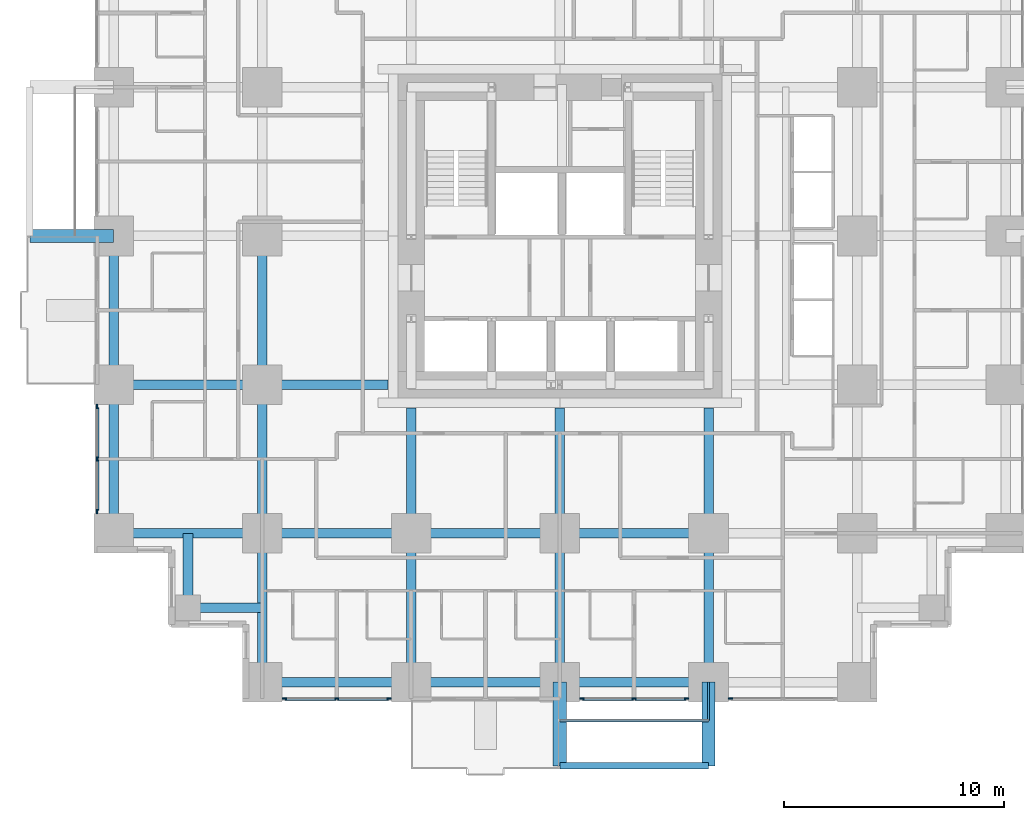
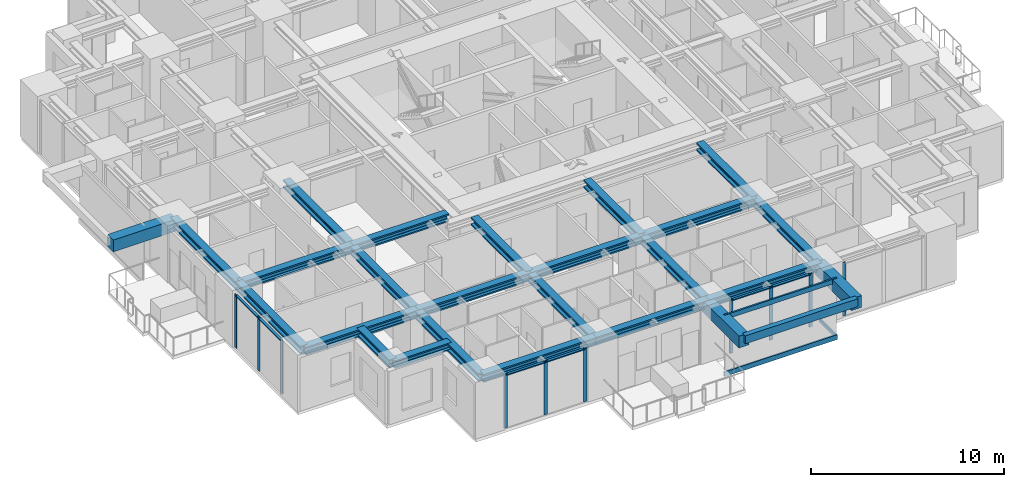
# One storey, part 2 of 14: 26 beams, 19 members, 4 elements without a shape of their own.
"""IFC4 building model written with IfcOpenShell, lengths in metres."""

from ifc_helpers import new_model, si_unit, direction, frame, origin, origin_2d, place, context, subcontext, project, spatial, rectangle, hollow_rectangle, i_section, extrude, material, material_profile, profile_set, type_object, element, aggregate, save


model = new_model("IFC4")

# Units and contexts
model_context = context("Model", 3, precision=1e-05, world=origin(), true_north=direction((0.0, 1.0)))
body_context = subcontext(model_context, "Body", "Model", "MODEL_VIEW")
ifc_project = project(units=[si_unit("LENGTHUNIT", "METRE"), si_unit("AREAUNIT", "SQUARE_METRE"), si_unit("VOLUMEUNIT", "CUBIC_METRE"), si_unit("PLANEANGLEUNIT", "RADIAN"), si_unit("MASSUNIT", "GRAM", prefix="KILO")], contexts=[model_context])

# Site, building, storey
site_placement = place(None, origin())
site = spatial("IfcSite", under=ifc_project, at=site_placement, CompositionType="ELEMENT")
building_placement = place(site_placement, origin())
building = spatial("IfcBuilding", under=site, at=building_placement, Name="Nyansa Garden Tower", CompositionType="ELEMENT")
storey_placement = place(building_placement, frame((0.0, 0.0, 68.39990234375)))
storey = spatial("IfcBuildingStorey", under=building, at=storey_placement, Name="L18", CompositionType="ELEMENT", Elevation=68.39990234375)

# Beams
ifc_material_1 = material(Name="Concrete C70/85", Category="concrete")
ifc_material_profile_1 = material_profile(ifc_material_1, rectangle(XDim=0.60009765625, YDim=0.75, at=origin_2d()), Name="RC 600x750")
ifc_profile_set_1 = profile_set([ifc_material_profile_1], Name="Concrete C70/85")
beam_type_1 = type_object("IfcBeamType", Name="Balcony cantilever beam CB1 RC 600x750", PredefinedType="BEAM", material=ifc_profile_set_1)
for number, where, z_axis, x_axis, name in (
    (1, (20.25, 0.0, 2.985107421875), (0.0, -1.0, 0.0), (1.0, 0.0, 0.0), "Balcony cantilever beam L19"),
    (2, (27.0, 0.0, 2.985107421875), (0.0, -1.0, 0.0), (1.0, 0.0, 0.0), "Balcony cantilever beam L19"),
    (3, (0.0, 20.25, 2.985107421875), (-1.0, 0.0, 0.0), (0.0, -1.0, 0.0), "Balcony cantilever beam L19"),
):
    element("IfcBeam", number, at=place(storey_placement, frame(where, z_axis=z_axis, x_axis=x_axis)), inside=storey, type_object=beam_type_1, Name=name, PredefinedType="BEAM", context=body_context, shape_type="SweptSolid", body=[
        extrude(rectangle(XDim=0.60009765625, YDim=0.75, at=origin_2d()), origin(), (0.0, 0.0, 1.0), 3.800048828125),
    ])
ifc_material_2 = material(Name="Concrete C70/85", Category="concrete")
ifc_material_profile_2 = material_profile(ifc_material_2, rectangle(XDim=0.300048828125, YDim=0.5, at=origin_2d()), Name="RC 300x500")
ifc_profile_set_2 = profile_set([ifc_material_profile_2], Name="Concrete C70/85")
beam_type_2 = type_object("IfcBeamType", Name="Balcony edge beam BE1 RC 300x500", PredefinedType="BEAM", material=ifc_profile_set_2)
beam_1_placement = place(storey_placement, frame((20.25, -3.800048828125, 3.110107421875), z_axis=(1.0, 0.0, 0.0), x_axis=(0.0, 1.0, 0.0)))
element("IfcBeam", 4, at=beam_1_placement, inside=storey, type_object=beam_type_2, Name="Balcony edge beam L19", PredefinedType="BEAM", context=body_context, shape_type="SweptSolid", body=[
    extrude(rectangle(XDim=0.300048828125, YDim=0.5, at=origin_2d()), origin(), (0.0, 0.0, 1.0), 6.75),
])

# Curtain wall, members
ifc_material_3 = material(Name="Black anodised aluminium, dark tinted double glazing", Category="aluminium")
curtain_wall_type = type_object("IfcCurtainWallType", Name="Inner skin curtain wall ISW-A", PredefinedType="USERDEFINED", material=ifc_material_3)
curtain_wall_1_placement = place(storey_placement, origin())
curtain_wall_1 = element("IfcCurtainWall", 5, at=curtain_wall_1_placement, inside=storey, type_object=curtain_wall_type, Name="Inner skin curtain wall L18 W", ObjectType="UNITISED CURTAIN WALL", PredefinedType="USERDEFINED")
ifc_material_4 = material(Name="Black anodised aluminium", Category="aluminium")
ifc_material_profile_3 = material_profile(ifc_material_4, rectangle(XDim=0.06494140625, YDim=0.199951171875, at=origin_2d()), Name="Mullion 200x65")
ifc_profile_set_3 = profile_set([ifc_material_profile_3], Name="Black anodised aluminium")
member_type_1 = type_object("IfcMemberType", Name="Mullion ISW-A 200x65", PredefinedType="MULLION", material=ifc_profile_set_3)
member_1_placement = place(storey_placement, frame((-0.75, 12.5, 0.0), z_axis=(0.0, 0.0, 1.0), x_axis=(1.0, 0.0, 0.0)))
member_1 = element("IfcMember", 6, at=member_1_placement, type_object=member_type_1, Name="ISW-A mullion 1", PredefinedType="MULLION", context=body_context, shape_type="SweptSolid", body=[
    extrude(rectangle(XDim=0.06494140625, YDim=0.199951171875, at=origin_2d()), origin(), (0.0, 0.0, 1.0), 3.375),
])
member_2_placement = place(storey_placement, frame((-0.75, 10.125, 0.0), z_axis=(0.0, 0.0, 1.0), x_axis=(1.0, 0.0, 0.0)))
member_2 = element("IfcMember", 7, at=member_2_placement, type_object=member_type_1, Name="ISW-A mullion 2", PredefinedType="MULLION", context=body_context, shape_type="SweptSolid", body=[
    extrude(rectangle(XDim=0.06494140625, YDim=0.199951171875, at=origin_2d()), origin(), (0.0, 0.0, 1.0), 3.375),
])
member_3_placement = place(storey_placement, frame((-0.75, 7.75, 0.0), z_axis=(0.0, 0.0, 1.0), x_axis=(1.0, 0.0, 0.0)))
member_3 = element("IfcMember", 8, at=member_3_placement, type_object=member_type_1, Name="ISW-A mullion 3", PredefinedType="MULLION", context=body_context, shape_type="SweptSolid", body=[
    extrude(rectangle(XDim=0.06494140625, YDim=0.199951171875, at=origin_2d()), origin(), (0.0, 0.0, 1.0), 3.375),
])

curtain_wall_2_placement = place(storey_placement, origin())
curtain_wall_2 = element("IfcCurtainWall", 9, at=curtain_wall_2_placement, inside=storey, type_object=curtain_wall_type, Name="Inner skin curtain wall L18 S", ObjectType="UNITISED CURTAIN WALL", PredefinedType="USERDEFINED")
member_4_placement = place(storey_placement, frame((7.75, -0.75, 0.0), z_axis=(0.0, 0.0, 1.0), x_axis=(0.0, 1.0, 0.0)))
member_4 = element("IfcMember", 10, at=member_4_placement, type_object=member_type_1, Name="ISW-A mullion 1", PredefinedType="MULLION", context=body_context, shape_type="SweptSolid", body=[
    extrude(rectangle(XDim=0.06494140625, YDim=0.199951171875, at=origin_2d()), origin(), (0.0, 0.0, 1.0), 3.375),
])
member_5_placement = place(storey_placement, frame((10.125, -0.75, 0.0), z_axis=(0.0, 0.0, 1.0), x_axis=(0.0, 1.0, 0.0)))
member_5 = element("IfcMember", 11, at=member_5_placement, type_object=member_type_1, Name="ISW-A mullion 2", PredefinedType="MULLION", context=body_context, shape_type="SweptSolid", body=[
    extrude(rectangle(XDim=0.06494140625, YDim=0.199951171875, at=origin_2d()), origin(), (0.0, 0.0, 1.0), 3.375),
])
member_6_placement = place(storey_placement, frame((12.5, -0.75, 0.0), z_axis=(0.0, 0.0, 1.0), x_axis=(0.0, 1.0, 0.0)))
member_6 = element("IfcMember", 12, at=member_6_placement, type_object=member_type_1, Name="ISW-A mullion 3", PredefinedType="MULLION", context=body_context, shape_type="SweptSolid", body=[
    extrude(rectangle(XDim=0.06494140625, YDim=0.199951171875, at=origin_2d()), origin(), (0.0, 0.0, 1.0), 3.375),
])

curtain_wall_3_placement = place(storey_placement, origin())
curtain_wall_3 = element("IfcCurtainWall", 13, at=curtain_wall_3_placement, inside=storey, type_object=curtain_wall_type, Name="Inner skin curtain wall L18 S", ObjectType="UNITISED CURTAIN WALL", PredefinedType="USERDEFINED")
member_7_placement = place(storey_placement, frame((21.25, -0.75, 0.0), z_axis=(0.0, 0.0, 1.0), x_axis=(0.0, 1.0, 0.0)))
member_7 = element("IfcMember", 14, at=member_7_placement, type_object=member_type_1, Name="ISW-A mullion 1", PredefinedType="MULLION", context=body_context, shape_type="SweptSolid", body=[
    extrude(rectangle(XDim=0.06494140625, YDim=0.199951171875, at=origin_2d()), origin(), (0.0, 0.0, 1.0), 3.375),
])
member_8_placement = place(storey_placement, frame((23.625, -0.75, 0.0), z_axis=(0.0, 0.0, 1.0), x_axis=(0.0, 1.0, 0.0)))
member_8 = element("IfcMember", 15, at=member_8_placement, type_object=member_type_1, Name="ISW-A mullion 2", PredefinedType="MULLION", context=body_context, shape_type="SweptSolid", body=[
    extrude(rectangle(XDim=0.06494140625, YDim=0.199951171875, at=origin_2d()), origin(), (0.0, 0.0, 1.0), 3.375),
])
member_9_placement = place(storey_placement, frame((26.0, -0.75, 0.0), z_axis=(0.0, 0.0, 1.0), x_axis=(0.0, 1.0, 0.0)))
member_9 = element("IfcMember", 16, at=member_9_placement, type_object=member_type_1, Name="ISW-A mullion 3", PredefinedType="MULLION", context=body_context, shape_type="SweptSolid", body=[
    extrude(rectangle(XDim=0.06494140625, YDim=0.199951171875, at=origin_2d()), origin(), (0.0, 0.0, 1.0), 3.375),
])

# Curtain wall, member
curtain_wall_4_placement = place(storey_placement, origin())
curtain_wall_4 = element("IfcCurtainWall", 17, at=curtain_wall_4_placement, inside=storey, type_object=curtain_wall_type, Name="Inner skin curtain wall L18 S", ObjectType="UNITISED CURTAIN WALL", PredefinedType="USERDEFINED")
member_10_placement = place(storey_placement, frame((28.0, -0.75, 0.0), z_axis=(0.0, 0.0, 1.0), x_axis=(0.0, 1.0, 0.0)))
member_10 = element("IfcMember", 18, at=member_10_placement, type_object=member_type_1, Name="ISW-A mullion 1", PredefinedType="MULLION", context=body_context, shape_type="SweptSolid", body=[
    extrude(rectangle(XDim=0.06494140625, YDim=0.199951171875, at=origin_2d()), origin(), (0.0, 0.0, 1.0), 3.375),
])
aggregate(curtain_wall_4, [member_10])

# Members
ifc_material_5 = material(Name="Steel S355, black powder coated", Category="steel")
ifc_material_profile_4 = material_profile(ifc_material_5, hollow_rectangle(XDim=0.10009765625, YDim=0.199951171875, WallThickness=0.008056640625, at=origin_2d()), Name="RHS 200x100x8")
ifc_profile_set_4 = profile_set([ifc_material_profile_4], Name="Steel S355, black powder coated")
member_type_2 = type_object("IfcMemberType", Name="Outer skin bracket arm RHS 200x100x8", PredefinedType="USERDEFINED", material=ifc_profile_set_4)
member_11_placement = place(storey_placement, frame((27.0, 0.0, -0.375), z_axis=(0.0, -1.0, 0.0), x_axis=(1.0, 0.0, 0.0)))
element("IfcMember", 19, at=member_11_placement, inside=storey, type_object=member_type_2, Name="Outer skin bracket arm", ObjectType="OUTER SKIN BRACKET", PredefinedType="USERDEFINED", context=body_context, shape_type="SweptSolid", body=[
    extrude(hollow_rectangle(XDim=0.10009765625, YDim=0.199951171875, WallThickness=0.008056640625, at=origin_2d()), origin(), (0.0, 0.0, 1.0), 1.75),
])
ifc_material_6 = material(Name="Steel S355, black powder coated", Category="steel")
ifc_material_profile_5 = material_profile(ifc_material_6, hollow_rectangle(XDim=0.10009765625, YDim=0.300048828125, WallThickness=0.010009765625, at=origin_2d()), Name="RHS 300x100x10")
ifc_profile_set_5 = profile_set([ifc_material_profile_5], Name="Steel S355, black powder coated")
member_type_3 = type_object("IfcMemberType", Name="Outer skin rail RHS 300x100x10", PredefinedType="USERDEFINED", material=ifc_profile_set_5)
for number, where, z_axis, x_axis, name in (
    (20, (20.25, -1.75, -0.375), (1.0, 0.0, 0.0), (0.0, 1.0, 0.0), "Outer skin rail L18"),
    (21, (20.25, -1.75, 3.22509765625), (1.0, 0.0, 0.0), (0.0, 1.0, 0.0), "Outer skin rail L18 head"),
):
    element("IfcMember", number, at=place(storey_placement, frame(where, z_axis=z_axis, x_axis=x_axis)), inside=storey, type_object=member_type_3, Name=name, ObjectType="OUTER SKIN RAIL", PredefinedType="USERDEFINED", context=body_context, shape_type="SweptSolid", body=[
        extrude(hollow_rectangle(XDim=0.10009765625, YDim=0.300048828125, WallThickness=0.010009765625, at=origin_2d()), origin(), (0.0, 0.0, 1.0), 6.75),
    ])

# Beams
ifc_material_7 = material(Name="Steel S355", Category="steel")
ifc_material_profile_6 = material_profile(ifc_material_7, i_section(OverallWidth=0.431884765625, OverallDepth=0.498046875, WebThickness=0.0556640625, FlangeThickness=0.0888671875, FilletRadius=0.014892578125, at=origin_2d()), Name="HD 400x744")
ifc_profile_set_6 = profile_set([ifc_material_profile_6], Name="Steel S355")
beam_type_3 = type_object("IfcBeamType", Name="Steel beam SBA2-744 HD 400x744", PredefinedType="BEAM", material=ifc_profile_set_6)
for number, where, z_axis, x_axis, name in (
    (22, (0.0, 6.75, 3.1259765625), (1.0, 0.0, 0.0), (0.0, 1.0, 0.0), "Steel beam 2/E-3/E L19"),
    (23, (0.0, 13.5, 3.1259765625), (1.0, 0.0, 0.0), (0.0, 1.0, 0.0), "Steel beam 2/F-3/F L19"),
    (24, (6.75, 0.0, 3.1259765625), (0.0, 1.0, 0.0), (-1.0, 0.0, 0.0), "Steel beam 3/D-3/E L19"),
    (25, (6.75, 6.75, 3.1259765625), (0.0, 1.0, 0.0), (-1.0, 0.0, 0.0), "Steel beam 3/E-3/F L19"),
    (26, (6.75, 6.75, 3.1259765625), (1.0, 0.0, 0.0), (0.0, 1.0, 0.0), "Steel beam 3/E-4/E L19"),
    (27, (6.75, 13.5, 3.1259765625), (0.0, 1.0, 0.0), (-1.0, 0.0, 0.0), "Steel beam 3/F-3/G L19"),
):
    element("IfcBeam", number, at=place(storey_placement, frame(where, z_axis=z_axis, x_axis=x_axis)), inside=storey, type_object=beam_type_3, Name=name, PredefinedType="BEAM", context=body_context, shape_type="SweptSolid", body=[
        extrude(i_section(OverallWidth=0.431884765625, OverallDepth=0.498046875, WebThickness=0.0556640625, FlangeThickness=0.0888671875, FilletRadius=0.014892578125, at=origin_2d()), origin(), (0.0, 0.0, 1.0), 6.75),
    ])
beam_2_placement = place(storey_placement, frame((6.75, 13.5, 3.1259765625), z_axis=(1.0, 0.0, 0.0), x_axis=(0.0, 1.0, 0.0)))
element("IfcBeam", 28, at=beam_2_placement, inside=storey, type_object=beam_type_3, Name="Steel beam 3/F-12.450/F L19", PredefinedType="BEAM", context=body_context, shape_type="SweptSolid", body=[
    extrude(i_section(OverallWidth=0.431884765625, OverallDepth=0.498046875, WebThickness=0.0556640625, FlangeThickness=0.0888671875, FilletRadius=0.014892578125, at=origin_2d()), origin(), (0.0, 0.0, 1.0), 5.699951171875),
])
beam_3_placement = place(storey_placement, frame((13.5, 0.0, 3.1259765625), z_axis=(0.0, 1.0, 0.0), x_axis=(-1.0, 0.0, 0.0)))
element("IfcBeam", 29, at=beam_3_placement, inside=storey, type_object=beam_type_3, Name="Steel beam 4/D-4/E L19", PredefinedType="BEAM", context=body_context, shape_type="SweptSolid", body=[
    extrude(i_section(OverallWidth=0.431884765625, OverallDepth=0.498046875, WebThickness=0.0556640625, FlangeThickness=0.0888671875, FilletRadius=0.014892578125, at=origin_2d()), origin(), (0.0, 0.0, 1.0), 6.75),
])
beam_4_placement = place(storey_placement, frame((13.5, 6.75, 3.1259765625), z_axis=(0.0, 1.0, 0.0), x_axis=(-1.0, 0.0, 0.0)))
element("IfcBeam", 30, at=beam_4_placement, inside=storey, type_object=beam_type_3, Name="Steel beam 4/E-4/12.450 L19", PredefinedType="BEAM", context=body_context, shape_type="SweptSolid", body=[
    extrude(i_section(OverallWidth=0.431884765625, OverallDepth=0.498046875, WebThickness=0.0556640625, FlangeThickness=0.0888671875, FilletRadius=0.014892578125, at=origin_2d()), origin(), (0.0, 0.0, 1.0), 5.699951171875),
])
for number, where, z_axis, x_axis, name in (
    (31, (13.5, 6.75, 3.1259765625), (1.0, 0.0, 0.0), (0.0, 1.0, 0.0), "Steel beam 4/E-5/E L19"),
    (32, (20.25, 0.0, 3.1259765625), (0.0, 1.0, 0.0), (-1.0, 0.0, 0.0), "Steel beam 5/D-5/E L19"),
):
    element("IfcBeam", number, at=place(storey_placement, frame(where, z_axis=z_axis, x_axis=x_axis)), inside=storey, type_object=beam_type_3, Name=name, PredefinedType="BEAM", context=body_context, shape_type="SweptSolid", body=[
        extrude(i_section(OverallWidth=0.431884765625, OverallDepth=0.498046875, WebThickness=0.0556640625, FlangeThickness=0.0888671875, FilletRadius=0.014892578125, at=origin_2d()), origin(), (0.0, 0.0, 1.0), 6.75),
    ])
beam_5_placement = place(storey_placement, frame((20.25, 6.75, 3.1259765625), z_axis=(0.0, 1.0, 0.0), x_axis=(-1.0, 0.0, 0.0)))
element("IfcBeam", 33, at=beam_5_placement, inside=storey, type_object=beam_type_3, Name="Steel beam 5/E-5/12.450 L19", PredefinedType="BEAM", context=body_context, shape_type="SweptSolid", body=[
    extrude(i_section(OverallWidth=0.431884765625, OverallDepth=0.498046875, WebThickness=0.0556640625, FlangeThickness=0.0888671875, FilletRadius=0.014892578125, at=origin_2d()), origin(), (0.0, 0.0, 1.0), 5.699951171875),
])
for number, where, z_axis, x_axis, name in (
    (34, (20.25, 6.75, 3.1259765625), (1.0, 0.0, 0.0), (0.0, 1.0, 0.0), "Steel beam 5/E-6/E L19"),
    (35, (27.0, 0.0, 3.1259765625), (0.0, 1.0, 0.0), (-1.0, 0.0, 0.0), "Steel beam 6/D-6/E L19"),
):
    element("IfcBeam", number, at=place(storey_placement, frame(where, z_axis=z_axis, x_axis=x_axis)), inside=storey, type_object=beam_type_3, Name=name, PredefinedType="BEAM", context=body_context, shape_type="SweptSolid", body=[
        extrude(i_section(OverallWidth=0.431884765625, OverallDepth=0.498046875, WebThickness=0.0556640625, FlangeThickness=0.0888671875, FilletRadius=0.014892578125, at=origin_2d()), origin(), (0.0, 0.0, 1.0), 6.75),
    ])
beam_6_placement = place(storey_placement, frame((27.0, 6.75, 3.1259765625), z_axis=(0.0, 1.0, 0.0), x_axis=(-1.0, 0.0, 0.0)))
element("IfcBeam", 36, at=beam_6_placement, inside=storey, type_object=beam_type_3, Name="Steel beam 6/E-6/12.450 L19", PredefinedType="BEAM", context=body_context, shape_type="SweptSolid", body=[
    extrude(i_section(OverallWidth=0.431884765625, OverallDepth=0.498046875, WebThickness=0.0556640625, FlangeThickness=0.0888671875, FilletRadius=0.014892578125, at=origin_2d()), origin(), (0.0, 0.0, 1.0), 5.699951171875),
])
ifc_material_8 = material(Name="Steel S355", Category="steel")
ifc_material_profile_7 = material_profile(ifc_material_8, i_section(OverallWidth=0.431884765625, OverallDepth=0.498046875, WebThickness=0.0556640625, FlangeThickness=0.0888671875, FilletRadius=0.014892578125, at=origin_2d()), Name="HD 400x744")
ifc_profile_set_7 = profile_set([ifc_material_profile_7], Name="Steel S355")
beam_type_4 = type_object("IfcBeamType", Name="Steel beam SEBA-744 HD 400x744", PredefinedType="BEAM", material=ifc_profile_set_7)
for number, where, z_axis, x_axis, name in (
    (37, (0.0, 6.75, 3.1259765625), (0.0, 1.0, 0.0), (-1.0, 0.0, 0.0), "Steel edge beam 2/E-2/F L19"),
    (38, (0.0, 13.5, 3.1259765625), (0.0, 1.0, 0.0), (-1.0, 0.0, 0.0), "Steel edge beam 2/F-2/G L19"),
    (39, (6.75, 0.0, 3.1259765625), (1.0, 0.0, 0.0), (0.0, 1.0, 0.0), "Steel edge beam 3/D-4/D L19"),
    (40, (13.5, 0.0, 3.1259765625), (1.0, 0.0, 0.0), (0.0, 1.0, 0.0), "Steel edge beam 4/D-5/D L19"),
    (41, (20.25, 0.0, 3.1259765625), (1.0, 0.0, 0.0), (0.0, 1.0, 0.0), "Steel edge beam 5/D-6/D L19"),
):
    element("IfcBeam", number, at=place(storey_placement, frame(where, z_axis=z_axis, x_axis=x_axis)), inside=storey, type_object=beam_type_4, Name=name, PredefinedType="BEAM", context=body_context, shape_type="SweptSolid", body=[
        extrude(i_section(OverallWidth=0.431884765625, OverallDepth=0.498046875, WebThickness=0.0556640625, FlangeThickness=0.0888671875, FilletRadius=0.014892578125, at=origin_2d()), origin(), (0.0, 0.0, 1.0), 6.75),
    ])
ifc_material_9 = material(Name="Steel S355", Category="steel")
ifc_material_profile_8 = material_profile(ifc_material_9, i_section(OverallWidth=0.431884765625, OverallDepth=0.498046875, WebThickness=0.0556640625, FlangeThickness=0.0888671875, FilletRadius=0.014892578125, at=origin_2d()), Name="HD 400x744")
ifc_profile_set_8 = profile_set([ifc_material_profile_8], Name="Steel S355")
beam_type_5 = type_object("IfcBeamType", Name="Steel beam SSB1-744 HD 400x744", PredefinedType="BEAM", material=ifc_profile_set_8)
for number, where, z_axis, x_axis, name in (
    (42, (3.375, 3.375, 3.1259765625), (0.0, 1.0, 0.0), (-1.0, 0.0, 0.0), "Steel step beam 3.375/3.375 L19"),
    (43, (3.375, 3.375, 3.1259765625), (1.0, 0.0, 0.0), (0.0, 1.0, 0.0), "Steel step beam 3.375/3.375 L19"),
):
    element("IfcBeam", number, at=place(storey_placement, frame(where, z_axis=z_axis, x_axis=x_axis)), inside=storey, type_object=beam_type_5, Name=name, PredefinedType="BEAM", context=body_context, shape_type="SweptSolid", body=[
        extrude(i_section(OverallWidth=0.431884765625, OverallDepth=0.498046875, WebThickness=0.0556640625, FlangeThickness=0.0888671875, FilletRadius=0.014892578125, at=origin_2d()), origin(), (0.0, 0.0, 1.0), 3.375),
    ])

# Member
ifc_material_10 = material(Name="Black anodised aluminium", Category="aluminium")
ifc_material_profile_9 = material_profile(ifc_material_10, rectangle(XDim=0.14990234375, YDim=0.06494140625, at=origin_2d()), Name="Transom 150x65")
ifc_profile_set_9 = profile_set([ifc_material_profile_9], Name="Black anodised aluminium")
member_type_4 = type_object("IfcMemberType", Name="Transom ISW-A 150x65", PredefinedType="USERDEFINED", material=ifc_profile_set_9)
member_12_placement = place(storey_placement, frame((-0.75, 12.467529296875, 3.342529296875), z_axis=(0.0, -1.0, 0.0), x_axis=(1.0, 0.0, 0.0)))
member_12 = element("IfcMember", 44, at=member_12_placement, type_object=member_type_4, Name="ISW-A transom 1", ObjectType="TRANSOM", PredefinedType="USERDEFINED", context=body_context, shape_type="SweptSolid", body=[
    extrude(rectangle(XDim=0.14990234375, YDim=0.06494140625, at=origin_2d()), origin(), (0.0, 0.0, 1.0), 2.31005859375),
])

member_13_placement = place(storey_placement, frame((-0.75, 10.092529296875, 3.342529296875), z_axis=(0.0, -1.0, 0.0), x_axis=(1.0, 0.0, 0.0)))
member_13 = element("IfcMember", 45, at=member_13_placement, type_object=member_type_4, Name="ISW-A transom 2", ObjectType="TRANSOM", PredefinedType="USERDEFINED", context=body_context, shape_type="SweptSolid", body=[
    extrude(rectangle(XDim=0.14990234375, YDim=0.06494140625, at=origin_2d()), origin(), (0.0, 0.0, 1.0), 2.31005859375),
])

aggregate(curtain_wall_1, [member_1, member_2, member_3, member_12, member_13])

member_14_placement = place(storey_placement, frame((7.782470703125, -0.75, 3.342529296875), z_axis=(1.0, 0.0, 0.0), x_axis=(0.0, 1.0, 0.0)))
member_14 = element("IfcMember", 46, at=member_14_placement, type_object=member_type_4, Name="ISW-A transom 1", ObjectType="TRANSOM", PredefinedType="USERDEFINED", context=body_context, shape_type="SweptSolid", body=[
    extrude(rectangle(XDim=0.14990234375, YDim=0.06494140625, at=origin_2d()), origin(), (0.0, 0.0, 1.0), 2.31005859375),
])

member_15_placement = place(storey_placement, frame((10.157470703125, -0.75, 3.342529296875), z_axis=(1.0, 0.0, 0.0), x_axis=(0.0, 1.0, 0.0)))
member_15 = element("IfcMember", 47, at=member_15_placement, type_object=member_type_4, Name="ISW-A transom 2", ObjectType="TRANSOM", PredefinedType="USERDEFINED", context=body_context, shape_type="SweptSolid", body=[
    extrude(rectangle(XDim=0.14990234375, YDim=0.06494140625, at=origin_2d()), origin(), (0.0, 0.0, 1.0), 2.31005859375),
])

aggregate(curtain_wall_2, [member_4, member_5, member_6, member_14, member_15])

member_16_placement = place(storey_placement, frame((21.282470703125, -0.75, 3.342529296875), z_axis=(1.0, 0.0, 0.0), x_axis=(0.0, 1.0, 0.0)))
member_16 = element("IfcMember", 48, at=member_16_placement, type_object=member_type_4, Name="ISW-A transom 1", ObjectType="TRANSOM", PredefinedType="USERDEFINED", context=body_context, shape_type="SweptSolid", body=[
    extrude(rectangle(XDim=0.14990234375, YDim=0.06494140625, at=origin_2d()), origin(), (0.0, 0.0, 1.0), 2.31005859375),
])

member_17_placement = place(storey_placement, frame((23.657470703125, -0.75, 3.342529296875), z_axis=(1.0, 0.0, 0.0), x_axis=(0.0, 1.0, 0.0)))
member_17 = element("IfcMember", 49, at=member_17_placement, type_object=member_type_4, Name="ISW-A transom 2", ObjectType="TRANSOM", PredefinedType="USERDEFINED", context=body_context, shape_type="SweptSolid", body=[
    extrude(rectangle(XDim=0.14990234375, YDim=0.06494140625, at=origin_2d()), origin(), (0.0, 0.0, 1.0), 2.31005859375),
])

aggregate(curtain_wall_3, [member_7, member_8, member_9, member_16, member_17])

save(model, "model.ifc")
